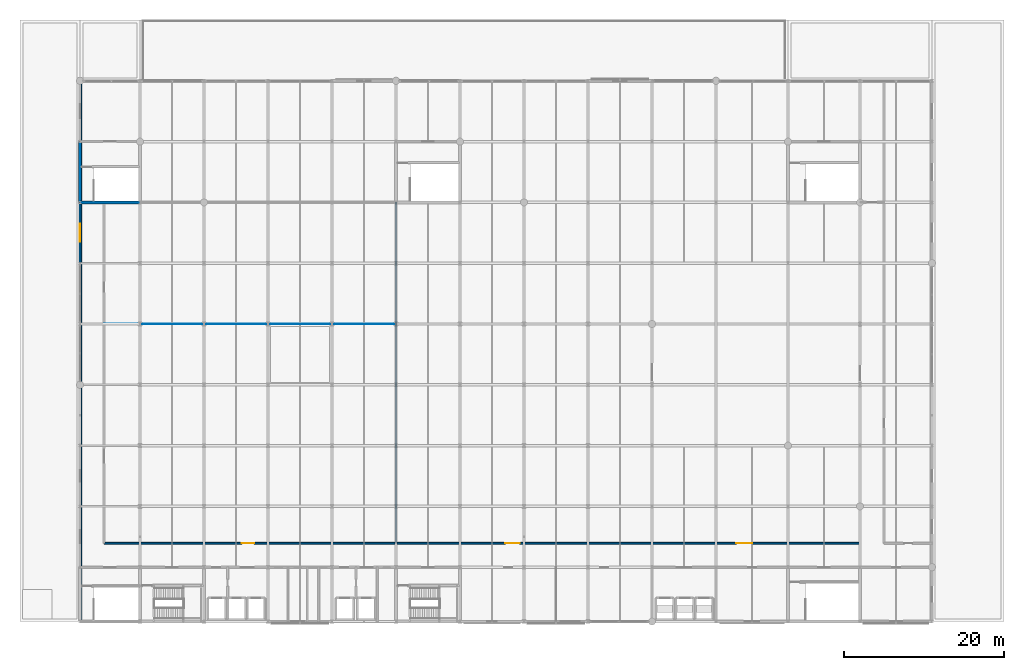
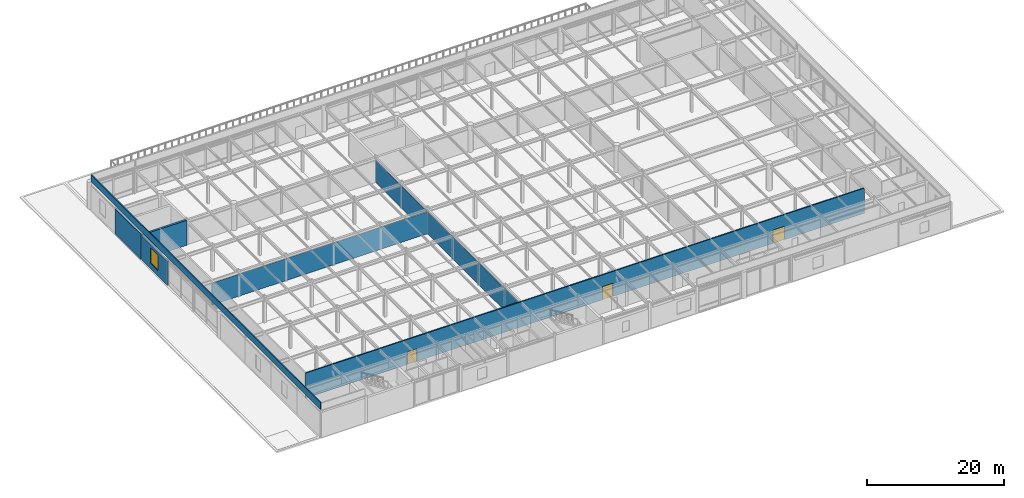
# One storey, part 35 of 43: 7 walls, 3 doors, 1 window, 4 openings.
"""IFC4 building model written with IfcOpenShell, lengths in metres."""

from ifc_helpers import new_model, si_unit, direction, frame, frame_2d, origin, place, context, subcontext, project, spatial, rectangle, extrude, material, layer, layer_set, type_object, element, fill, save


model = new_model("IFC4")

# Units and contexts
model_context = context("Model", 3, precision=1e-05, world=origin(), true_north=direction((0.0, 1.0)))
body_context = subcontext(model_context, "Body", "Model", "MODEL_VIEW")
ifc_project = project(units=[si_unit("LENGTHUNIT", "METRE"), si_unit("AREAUNIT", "SQUARE_METRE"), si_unit("VOLUMEUNIT", "CUBIC_METRE"), si_unit("PLANEANGLEUNIT", "RADIAN"), si_unit("MASSUNIT", "GRAM", prefix="KILO")], contexts=[model_context])

# Site, building, storey
site_placement = place(None, origin())
site = spatial("IfcSite", under=ifc_project, at=site_placement, CompositionType="ELEMENT")
building_placement = place(site_placement, origin())
building = spatial("IfcBuilding", under=site, at=building_placement, Name="Shalkamar Park Central Library", CompositionType="ELEMENT")
storey_placement = place(building_placement, frame((0.0, 0.0, 15.60009765625)))
storey = spatial("IfcBuildingStorey", under=building, at=storey_placement, Name="L04", CompositionType="ELEMENT", Elevation=15.60009765625)

# Wall
ifc_material_1 = material(Name="Acoustic insulated reading partition", Category="masonry")
ifc_layer_1 = layer(ifc_material_1, 0.139892578125)
ifc_layer_set_1 = layer_set([ifc_layer_1], Name="AcousticPartition_140")
wall_type_1 = type_object("IfcWallType", Name="Acoustic Partition 140", PredefinedType="PARTITIONING", material=ifc_layer_set_1)
wall_1_placement = place(storey_placement, frame((197.0, 258.199951171875, 0.0), z_axis=(0.0, 0.0, 1.0), x_axis=(0.0, 1.0, 0.0)))
element("IfcWall", 1, at=wall_1_placement, inside=storey, type_object=wall_type_1, Name="Interior Partition WL-INT-L04-019", PredefinedType="PARTITIONING", context=body_context, shape_type="SweptSolid", body=[
    extrude(rectangle(XDim=42.60009765625, YDim=0.139892578125, at=frame_2d((21.300048828125, 0.0))), origin(), (0.0, 0.0, 1.0), 3.927978515625),
])

# Wall, openings, doors
ifc_material_2 = material(Name="Fire-rated corridor partition wall", Category="masonry")
ifc_layer_2 = layer(ifc_material_2, 0.199951171875)
ifc_layer_set_2 = layer_set([ifc_layer_2], Name="CorridorFireWall_200")
wall_type_2 = type_object("IfcWallType", Name="Corridor Fire Wall 200", PredefinedType="PARTITIONING", material=ifc_layer_set_2)
wall_2_placement = place(storey_placement, frame((160.5, 258.199951171875, 0.0), z_axis=(0.0, 0.0, 1.0), x_axis=(1.0, 0.0, 0.0)))
wall_2 = element("IfcWall", 2, at=wall_2_placement, inside=storey, type_object=wall_type_2, Name="Interior Partition WL-INT-L04-018", PredefinedType="PARTITIONING", context=body_context, shape_type="SweptSolid", body=[
    extrude(rectangle(XDim=94.5, YDim=0.199951171875, at=frame_2d((47.25, 0.0))), origin(), (0.0, 0.0, 1.0), 4.47998046875),
])
opening_1_placement = place(wall_2_placement, frame((17.199951171875, 0.0, 0.0)))
opening_1 = element("IfcOpeningElement", 3, at=opening_1_placement, cuts=wall_2, Name="Opening DR-L04-019", PredefinedType="OPENING", context=body_context, shape_type="SweptSolid", body=[
    extrude(rectangle(XDim=1.60009765625, YDim=2.25, at=frame_2d((0.800048828125, 1.125))), frame((0.0, 0.11474609375, 0.0), z_axis=(0.0, -1.0, 0.0), x_axis=(1.0, 0.0, 0.0)), (0.0, 0.0, 1.0), 0.229736328125),
])
opening_2_placement = place(wall_2_placement, frame((50.159912109375, 0.0, 0.0)))
opening_2 = element("IfcOpeningElement", 4, at=opening_2_placement, cuts=wall_2, Name="Opening DR-L04-020", PredefinedType="OPENING", context=body_context, shape_type="SweptSolid", body=[
    extrude(rectangle(XDim=1.800048828125, YDim=2.39990234375, at=frame_2d((0.89990234375, 1.199951171875))), frame((0.0, 0.11474609375, 0.0), z_axis=(0.0, -1.0, 0.0), x_axis=(1.0, 0.0, 0.0)), (0.0, 0.0, 1.0), 0.229736328125),
])
opening_3_placement = place(wall_2_placement, frame((79.0, 0.0, 0.0)))
opening_3 = element("IfcOpeningElement", 5, at=opening_3_placement, cuts=wall_2, Name="Opening DR-L04-021", PredefinedType="OPENING", context=body_context, shape_type="SweptSolid", body=[
    extrude(rectangle(XDim=2.0, YDim=2.39990234375, at=frame_2d((1.0, 1.199951171875))), frame((0.0, 0.11474609375, 0.0), z_axis=(0.0, -1.0, 0.0), x_axis=(1.0, 0.0, 0.0)), (0.0, 0.0, 1.0), 0.229736328125),
])
ifc_material_3 = material(Name="Steel S355", Category="steel")
door_type_1 = type_object("IfcDoorType", Name="Interior Door Double 1600x2250", OperationType="DOUBLE_DOOR_SINGLE_SWING", PredefinedType="DOOR", material=ifc_material_3)
door_1_placement = place(opening_1_placement, origin())
door_1 = element("IfcDoor", 6, at=door_1_placement, inside=storey, type_object=door_type_1, Name="Music and Arts Reading Door", OperationType="DOUBLE_DOOR_SINGLE_SWING", OverallHeight=2.25, OverallWidth=1.60009765625, PredefinedType="DOOR", context=body_context, shape_type="SweptSolid", body=[
    extrude(rectangle(XDim=1.60009765625, YDim=2.25, at=frame_2d((0.800048828125, 1.125))), frame((0.0, 0.02490234375, 0.0), z_axis=(0.0, -1.0, 0.0), x_axis=(1.0, 0.0, 0.0)), (0.0, 0.0, 1.0), 0.050048828125),
])
fill(opening_1, door_1)
door_type_2 = type_object("IfcDoorType", Name="Interior Door Double 1800x2400", OperationType="DOUBLE_DOOR_SINGLE_SWING", PredefinedType="DOOR", material=ifc_material_3)
door_2_placement = place(opening_2_placement, origin())
door_2 = element("IfcDoor", 7, at=door_2_placement, inside=storey, type_object=door_type_2, Name="Open Arts Stacks Door", OperationType="DOUBLE_DOOR_SINGLE_SWING", OverallHeight=2.39990234375, OverallWidth=1.800048828125, PredefinedType="DOOR", context=body_context, shape_type="SweptSolid", body=[
    extrude(rectangle(XDim=1.800048828125, YDim=2.39990234375, at=frame_2d((0.89990234375, 1.199951171875))), frame((0.0, 0.02490234375, 0.0), z_axis=(0.0, -1.0, 0.0), x_axis=(1.0, 0.0, 0.0)), (0.0, 0.0, 1.0), 0.050048828125),
])
fill(opening_2, door_2)
door_type_3 = type_object("IfcDoorType", Name="Interior Door Double 2000x2400", OperationType="DOUBLE_DOOR_SINGLE_SWING", PredefinedType="DOOR", material=ifc_material_3)
door_3_placement = place(opening_3_placement, origin())
door_3 = element("IfcDoor", 8, at=door_3_placement, inside=storey, type_object=door_type_3, Name="Grand Reading Hall South Portal", OperationType="DOUBLE_DOOR_SINGLE_SWING", OverallHeight=2.39990234375, OverallWidth=2.0, PredefinedType="DOOR", context=body_context, shape_type="SweptSolid", body=[
    extrude(rectangle(XDim=2.0, YDim=2.39990234375, at=frame_2d((1.0, 1.199951171875))), frame((0.0, 0.02490234375, 0.0), z_axis=(0.0, -1.0, 0.0), x_axis=(1.0, 0.0, 0.0)), (0.0, 0.0, 1.0), 0.050048828125),
])
fill(opening_3, door_3)

# Walls
ifc_material_4 = material(Name="Concrete C40/50", Category="concrete")
ifc_layer_3 = layer(ifc_material_4, 0.35009765625)
ifc_layer_set_3 = layer_set([ifc_layer_3], Name="Concrete C40/50")
wall_type_3 = type_object("IfcWallType", Name="Podium Core Shear Wall 350", PredefinedType="SHEAR", material=ifc_layer_set_3)
wall_3_placement = place(storey_placement, frame((157.5, 300.800048828125, 0.0), z_axis=(0.0, 0.0, 1.0), x_axis=(1.0, 0.0, 0.0)))
element("IfcWall", 9, at=wall_3_placement, inside=storey, type_object=wall_type_3, Name="CORE-P2 South Shear Wall (L04)", PredefinedType="SHEAR", context=body_context, shape_type="SweptSolid", body=[
    extrude(rectangle(XDim=7.5, YDim=0.35009765625, at=frame_2d((3.75, 0.0))), origin(), (0.0, 0.0, 1.0), 4.47998046875),
])
wall_4_placement = place(storey_placement, frame((157.5, 300.800048828125, 0.0), z_axis=(0.0, 0.0, 1.0), x_axis=(0.0, 1.0, 0.0)))
element("IfcWall", 10, at=wall_4_placement, inside=storey, type_object=wall_type_3, Name="CORE-P2 West Shear Wall (L04)", PredefinedType="SHEAR", context=body_context, shape_type="SweptSolid", body=[
    extrude(rectangle(XDim=7.599853515625, YDim=0.35009765625, at=frame_2d((3.7998046875, 0.0))), origin(), (0.0, 0.0, 1.0), 4.47998046875),
])
ifc_material_5 = material(Name="Concrete C35/45 precast", Category="concrete")
ifc_layer_4 = layer(ifc_material_5, 0.179931640625)
ifc_layer_set_4 = layer_set([ifc_layer_4], Name="Concrete C35/45 precast")
wall_type_4 = type_object("IfcWallType", Name="Roof Parapet Wall 180", PredefinedType="PARAPET", material=ifc_layer_set_4)
wall_5_placement = place(storey_placement, frame((157.60009765625, 248.60009765625, 4.7998046875), z_axis=(0.0, 0.0, 1.0), x_axis=(0.0, 1.0, 0.0)))
element("IfcWall", 11, at=wall_5_placement, inside=storey, type_object=wall_type_4, Name="Roof Parapet Wall L04-28", PredefinedType="PARAPET", context=body_context, shape_type="SweptSolid", body=[
    extrude(rectangle(XDim=67.199951171875, YDim=0.179931640625, at=frame_2d((33.60009765625, 0.0))), origin(), (0.0, 0.0, 1.0), 1.2001953125),
])
ifc_material_6 = material(Name="Lightweight acoustic stud partition", Category="masonry")
ifc_layer_5 = layer(ifc_material_6, 0.1201171875)
ifc_layer_set_5 = layer_set([ifc_layer_5], Name="StandardPartition_120")
wall_type_5 = type_object("IfcWallType", Name="Standard Partition 120", PredefinedType="PARTITIONING", material=ifc_layer_set_5)
wall_6_placement = place(storey_placement, frame((160.5, 285.60009765625, 0.0), z_axis=(0.0, 0.0, 1.0), x_axis=(1.0, 0.0, 0.0)))
element("IfcWall", 12, at=wall_6_placement, inside=storey, type_object=wall_type_5, Name="Interior Partition WL-INT-L04-020", PredefinedType="PARTITIONING", context=body_context, shape_type="SweptSolid", body=[
    extrude(rectangle(XDim=36.5, YDim=0.1201171875, at=frame_2d((18.25, 0.0))), origin(), (0.0, 0.0, 1.0), 3.927978515625),
])

# Wall, opening, window
ifc_material_7 = material(Name="Travertine insulated rainscreen", Category="masonry")
ifc_layer_6 = layer(ifc_material_7, 0.2900390625)
ifc_layer_set_6 = layer_set([ifc_layer_6], Name="TravertineTerracottaWall_290")
wall_type_6 = type_object("IfcWallType", Name="Travertine Terracotta Wall 290", PredefinedType="SOLIDWALL", material=ifc_layer_set_6)
wall_7_placement = place(storey_placement, frame((157.5, 293.2060546875, 0.0), z_axis=(0.0, 0.0, 1.0), x_axis=(0.0, 1.0, 0.0)))
wall_7 = element("IfcWall", 13, at=wall_7_placement, inside=storey, type_object=wall_type_6, Name="Exterior Facade Wall WL-EXT-L04-119", PredefinedType="SOLIDWALL", context=body_context, shape_type="SweptSolid", body=[
    extrude(rectangle(XDim=7.587890625, YDim=0.2900390625, at=frame_2d((3.7939453125, 0.0))), origin(), (0.0, 0.0, 1.0), 4.27783203125),
])
opening_4_placement = place(wall_7_placement, frame((2.694091796875, 0.0, 0.949951171875)))
opening_4 = element("IfcOpeningElement", 14, at=opening_4_placement, cuts=wall_7, Name="Opening WN-04", PredefinedType="OPENING", context=body_context, shape_type="SweptSolid", body=[
    extrude(rectangle(XDim=2.199951171875, YDim=2.800048828125, at=frame_2d((1.10009765625, 1.39990234375))), frame((0.0, 0.159912109375, 0.0), z_axis=(0.0, -1.0, 0.0), x_axis=(1.0, 0.0, 0.0)), (0.0, 0.0, 1.0), 0.31982421875),
])
ifc_material_8 = material(Name="Thermally broken aluminium and triple low-e glass", Category="glass")
window_type = type_object("IfcWindowType", Name="Podium Window 2200x2800", PartitioningType="DOUBLE_PANEL_VERTICAL", PredefinedType="WINDOW", material=ifc_material_8)
window_placement = place(opening_4_placement, origin())
window = element("IfcWindow", 15, at=window_placement, inside=storey, type_object=window_type, Name="Facade Window WN-L04-077", OverallHeight=2.800048828125, OverallWidth=2.199951171875, PartitioningType="DOUBLE_PANEL_VERTICAL", PredefinedType="WINDOW", context=body_context, shape_type="SweptSolid", body=[
    extrude(rectangle(XDim=2.199951171875, YDim=2.800048828125, at=frame_2d((1.10009765625, 1.39990234375))), frame((0.0, 0.030029296875, 0.0), z_axis=(0.0, -1.0, 0.0), x_axis=(1.0, 0.0, 0.0)), (0.0, 0.0, 1.0), 0.06005859375),
])
fill(opening_4, window)

save(model, "model.ifc")
